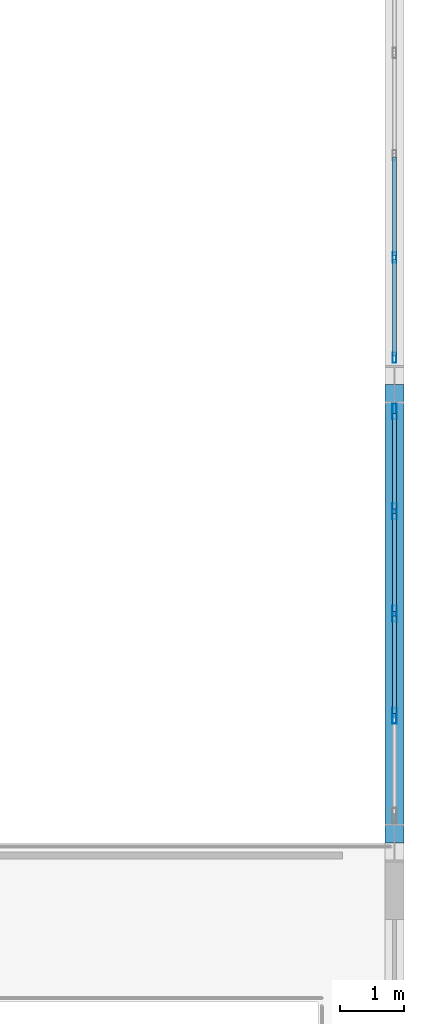
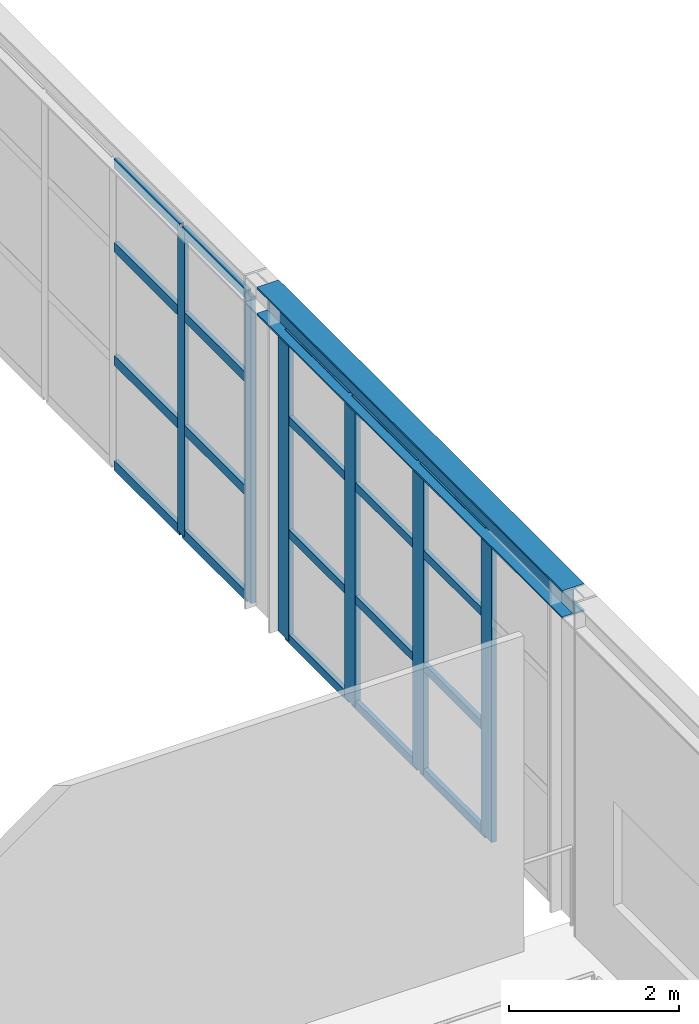
# One storey, part 67 of 126: 26 members, 1 beam, 2 elements without a shape of their own.
"""IFC4 building model written with IfcOpenShell, lengths in metres."""

from ifc_helpers import new_model, si_unit, direction, frame, origin, origin_2d, place, context, subcontext, project, spatial, hollow_rectangle, i_section, extrude, material, layer, layer_set, material_profile, profile_set, type_object, element, aggregate, save


model = new_model("IFC4")

# Units and contexts
model_context = context("Model", 3, precision=1e-05, world=origin(), true_north=direction((0.0, 1.0)))
body_context = subcontext(model_context, "Body", "Model", "MODEL_VIEW")
ifc_project = project(units=[si_unit("LENGTHUNIT", "METRE"), si_unit("AREAUNIT", "SQUARE_METRE"), si_unit("VOLUMEUNIT", "CUBIC_METRE"), si_unit("PLANEANGLEUNIT", "RADIAN"), si_unit("MASSUNIT", "GRAM", prefix="KILO")], contexts=[model_context])

# Site, building, storey
site_placement = place(None, origin())
site = spatial("IfcSite", under=ifc_project, at=site_placement, CompositionType="ELEMENT")
building_placement = place(site_placement, origin())
building = spatial("IfcBuilding", under=site, at=building_placement, Name="Solvadek Multi-Sports Hall", CompositionType="ELEMENT")
storey_placement = place(building_placement, frame((0.0, 0.0, 9.60009765625)))
storey = spatial("IfcBuildingStorey", under=building, at=storey_placement, Name="L02", CompositionType="ELEMENT", Elevation=9.60009765625)

# Curtain wall, members
ifc_material_1 = material(Name="Anodised aluminium", Category="aluminium")
ifc_layer = layer(ifc_material_1, 0.159912109375, Name="Anodised aluminium")
ifc_layer_set = layer_set([ifc_layer], Name="Anodised aluminium")
curtain_wall_type = type_object("IfcCurtainWallType", Name="ENV-CW-642X440", PredefinedType="USERDEFINED", material=ifc_layer_set)
curtain_wall_1_placement = place(storey_placement, origin())
curtain_wall_1 = element("IfcCurtainWall", 1, at=curtain_wall_1_placement, inside=storey, type_object=curtain_wall_type, Name="L02 Perimeter Bay Curtain Wall #150", ObjectType="CURTAIN WALL", PredefinedType="USERDEFINED")
ifc_material_profile_1 = material_profile(ifc_material_1, hollow_rectangle(XDim=0.06005859375, YDim=0.159912109375, WallThickness=0.00390625, at=origin_2d()), Name="ALU-M 160x60x4")
ifc_profile_set_1 = profile_set([ifc_material_profile_1], Name="Anodised aluminium")
member_type_1 = type_object("IfcMemberType", Name="ENV-CWM-01", PredefinedType="MULLION", material=ifc_profile_set_1)
member_1_placement = place(storey_placement, frame((161.39990234375, 56.820068359375, 0.0), z_axis=(0.0, 0.0, 1.0), x_axis=(-1.0, 0.0, 0.0)))
member_1 = element("IfcMember", 2, at=member_1_placement, type_object=member_type_1, Name="CW-54 mullion 1", PredefinedType="MULLION", context=body_context, shape_type="SweptSolid", body=[
    extrude(hollow_rectangle(XDim=0.06005859375, YDim=0.159912109375, WallThickness=0.00390625, at=origin_2d()), origin(), (0.0, 0.0, 1.0), 4.40185546875),
])
member_2_placement = place(storey_placement, frame((161.39990234375, 58.39501953125, 0.0), z_axis=(0.0, 0.0, 1.0), x_axis=(-1.0, 0.0, 0.0)))
member_2 = element("IfcMember", 3, at=member_2_placement, type_object=member_type_1, Name="CW-54 mullion 2", PredefinedType="MULLION", context=body_context, shape_type="SweptSolid", body=[
    extrude(hollow_rectangle(XDim=0.06005859375, YDim=0.159912109375, WallThickness=0.00390625, at=origin_2d()), origin(), (0.0, 0.0, 1.0), 4.40185546875),
])

curtain_wall_2_placement = place(storey_placement, origin())
curtain_wall_2 = element("IfcCurtainWall", 4, at=curtain_wall_2_placement, inside=storey, type_object=curtain_wall_type, Name="L02 Perimeter Bay Curtain Wall #146", ObjectType="CURTAIN WALL", PredefinedType="USERDEFINED")
ifc_material_profile_2 = material_profile(ifc_material_1, hollow_rectangle(XDim=0.070068359375, YDim=0.25, WallThickness=0.0048828125, at=origin_2d()), Name="ALU-M 250x70x5")
ifc_profile_set_2 = profile_set([ifc_material_profile_2], Name="Anodised aluminium")
member_type_2 = type_object("IfcMemberType", Name="ENV-CWM-05", PredefinedType="MULLION", material=ifc_profile_set_2)
member_3_placement = place(storey_placement, frame((161.39990234375, 51.195068359375, 0.0), z_axis=(0.0, 0.0, 1.0), x_axis=(-1.0, 0.0, 0.0)))
member_3 = element("IfcMember", 5, at=member_3_placement, type_object=member_type_2, Name="CW-54 mullion 2", PredefinedType="MULLION", context=body_context, shape_type="SweptSolid", body=[
    extrude(hollow_rectangle(XDim=0.070068359375, YDim=0.25, WallThickness=0.0048828125, at=origin_2d()), origin(), (0.0, 0.0, 1.0), 4.40185546875),
])
member_4_placement = place(storey_placement, frame((161.39990234375, 52.800048828125, 0.0), z_axis=(0.0, 0.0, 1.0), x_axis=(-1.0, 0.0, 0.0)))
member_4 = element("IfcMember", 6, at=member_4_placement, type_object=member_type_2, Name="CW-54 mullion 3", PredefinedType="MULLION", context=body_context, shape_type="SweptSolid", body=[
    extrude(hollow_rectangle(XDim=0.070068359375, YDim=0.25, WallThickness=0.0048828125, at=origin_2d()), origin(), (0.0, 0.0, 1.0), 4.40185546875),
])
member_5_placement = place(storey_placement, frame((161.39990234375, 54.405029296875, 0.0), z_axis=(0.0, 0.0, 1.0), x_axis=(-1.0, 0.0, 0.0)))
member_5 = element("IfcMember", 7, at=member_5_placement, type_object=member_type_2, Name="CW-54 mullion 4", PredefinedType="MULLION", context=body_context, shape_type="SweptSolid", body=[
    extrude(hollow_rectangle(XDim=0.070068359375, YDim=0.25, WallThickness=0.0048828125, at=origin_2d()), origin(), (0.0, 0.0, 1.0), 4.40185546875),
])
member_6_placement = place(storey_placement, frame((161.39990234375, 55.97509765625, 0.0), z_axis=(0.0, 0.0, 1.0), x_axis=(-1.0, 0.0, 0.0)))
member_6 = element("IfcMember", 8, at=member_6_placement, type_object=member_type_2, Name="CW-54 mullion 5", PredefinedType="MULLION", context=body_context, shape_type="SweptSolid", body=[
    extrude(hollow_rectangle(XDim=0.070068359375, YDim=0.25, WallThickness=0.0048828125, at=origin_2d()), origin(), (0.0, 0.0, 1.0), 4.40185546875),
])
ifc_material_profile_3 = material_profile(ifc_material_1, hollow_rectangle(XDim=0.06005859375, YDim=0.1201171875, WallThickness=0.00390625, at=origin_2d()), Name="ALU-T 120x60x4")
ifc_profile_set_3 = profile_set([ifc_material_profile_3], Name="Anodised aluminium")
member_type_3 = type_object("IfcMemberType", Name="ENV-CWT-01", PredefinedType="USERDEFINED", material=ifc_profile_set_3)
member_7_placement = place(storey_placement, frame((161.39990234375, 51.22998046875, 0.02978515625), z_axis=(0.0, 1.0, 0.0), x_axis=(-1.0, 0.0, 0.0)))
member_7 = element("IfcMember", 9, at=member_7_placement, type_object=member_type_3, Name="CW-54 transom 2.1", ObjectType="TRANSOM", PredefinedType="USERDEFINED", context=body_context, shape_type="SweptSolid", body=[
    extrude(hollow_rectangle(XDim=0.06005859375, YDim=0.1201171875, WallThickness=0.00390625, at=origin_2d()), origin(), (0.0, 0.0, 1.0), 1.534912109375),
])
member_8_placement = place(storey_placement, frame((161.39990234375, 51.22998046875, 1.541015625), z_axis=(0.0, 1.0, 0.0), x_axis=(-1.0, 0.0, 0.0)))
member_8 = element("IfcMember", 10, at=member_8_placement, type_object=member_type_3, Name="CW-54 transom 2.2", ObjectType="TRANSOM", PredefinedType="USERDEFINED", context=body_context, shape_type="SweptSolid", body=[
    extrude(hollow_rectangle(XDim=0.06005859375, YDim=0.1201171875, WallThickness=0.00390625, at=origin_2d()), origin(), (0.0, 0.0, 1.0), 1.534912109375),
])
member_9_placement = place(storey_placement, frame((161.39990234375, 51.22998046875, 3.1689453125), z_axis=(0.0, 1.0, 0.0), x_axis=(-1.0, 0.0, 0.0)))
member_9 = element("IfcMember", 11, at=member_9_placement, type_object=member_type_3, Name="CW-54 transom 2.3", ObjectType="TRANSOM", PredefinedType="USERDEFINED", context=body_context, shape_type="SweptSolid", body=[
    extrude(hollow_rectangle(XDim=0.06005859375, YDim=0.1201171875, WallThickness=0.00390625, at=origin_2d()), origin(), (0.0, 0.0, 1.0), 1.534912109375),
])
member_10_placement = place(storey_placement, frame((161.39990234375, 51.22998046875, 4.371826171875), z_axis=(0.0, 1.0, 0.0), x_axis=(-1.0, 0.0, 0.0)))
member_10 = element("IfcMember", 12, at=member_10_placement, type_object=member_type_3, Name="CW-54 transom 2.4", ObjectType="TRANSOM", PredefinedType="USERDEFINED", context=body_context, shape_type="SweptSolid", body=[
    extrude(hollow_rectangle(XDim=0.06005859375, YDim=0.1201171875, WallThickness=0.00390625, at=origin_2d()), origin(), (0.0, 0.0, 1.0), 1.534912109375),
])
member_11_placement = place(storey_placement, frame((161.39990234375, 52.8349609375, 0.02978515625), z_axis=(0.0, 1.0, 0.0), x_axis=(-1.0, 0.0, 0.0)))
member_11 = element("IfcMember", 13, at=member_11_placement, type_object=member_type_3, Name="CW-54 transom 3.1", ObjectType="TRANSOM", PredefinedType="USERDEFINED", context=body_context, shape_type="SweptSolid", body=[
    extrude(hollow_rectangle(XDim=0.06005859375, YDim=0.1201171875, WallThickness=0.00390625, at=origin_2d()), origin(), (0.0, 0.0, 1.0), 1.53515625),
])
member_12_placement = place(storey_placement, frame((161.39990234375, 52.8349609375, 1.541015625), z_axis=(0.0, 1.0, 0.0), x_axis=(-1.0, 0.0, 0.0)))
member_12 = element("IfcMember", 14, at=member_12_placement, type_object=member_type_3, Name="CW-54 transom 3.2", ObjectType="TRANSOM", PredefinedType="USERDEFINED", context=body_context, shape_type="SweptSolid", body=[
    extrude(hollow_rectangle(XDim=0.06005859375, YDim=0.1201171875, WallThickness=0.00390625, at=origin_2d()), origin(), (0.0, 0.0, 1.0), 1.53515625),
])
member_13_placement = place(storey_placement, frame((161.39990234375, 52.8349609375, 3.1689453125), z_axis=(0.0, 1.0, 0.0), x_axis=(-1.0, 0.0, 0.0)))
member_13 = element("IfcMember", 15, at=member_13_placement, type_object=member_type_3, Name="CW-54 transom 3.3", ObjectType="TRANSOM", PredefinedType="USERDEFINED", context=body_context, shape_type="SweptSolid", body=[
    extrude(hollow_rectangle(XDim=0.06005859375, YDim=0.1201171875, WallThickness=0.00390625, at=origin_2d()), origin(), (0.0, 0.0, 1.0), 1.53515625),
])
member_14_placement = place(storey_placement, frame((161.39990234375, 52.8349609375, 4.371826171875), z_axis=(0.0, 1.0, 0.0), x_axis=(-1.0, 0.0, 0.0)))
member_14 = element("IfcMember", 16, at=member_14_placement, type_object=member_type_3, Name="CW-54 transom 3.4", ObjectType="TRANSOM", PredefinedType="USERDEFINED", context=body_context, shape_type="SweptSolid", body=[
    extrude(hollow_rectangle(XDim=0.06005859375, YDim=0.1201171875, WallThickness=0.00390625, at=origin_2d()), origin(), (0.0, 0.0, 1.0), 1.53515625),
])
member_15_placement = place(storey_placement, frame((161.39990234375, 54.43994140625, 0.02978515625), z_axis=(0.0, 1.0, 0.0), x_axis=(-1.0, 0.0, 0.0)))
member_15 = element("IfcMember", 17, at=member_15_placement, type_object=member_type_3, Name="CW-54 transom 4.1", ObjectType="TRANSOM", PredefinedType="USERDEFINED", context=body_context, shape_type="SweptSolid", body=[
    extrude(hollow_rectangle(XDim=0.06005859375, YDim=0.1201171875, WallThickness=0.00390625, at=origin_2d()), origin(), (0.0, 0.0, 1.0), 1.5),
])
member_16_placement = place(storey_placement, frame((161.39990234375, 54.43994140625, 1.541015625), z_axis=(0.0, 1.0, 0.0), x_axis=(-1.0, 0.0, 0.0)))
member_16 = element("IfcMember", 18, at=member_16_placement, type_object=member_type_3, Name="CW-54 transom 4.2", ObjectType="TRANSOM", PredefinedType="USERDEFINED", context=body_context, shape_type="SweptSolid", body=[
    extrude(hollow_rectangle(XDim=0.06005859375, YDim=0.1201171875, WallThickness=0.00390625, at=origin_2d()), origin(), (0.0, 0.0, 1.0), 1.5),
])
member_17_placement = place(storey_placement, frame((161.39990234375, 54.43994140625, 3.1689453125), z_axis=(0.0, 1.0, 0.0), x_axis=(-1.0, 0.0, 0.0)))
member_17 = element("IfcMember", 19, at=member_17_placement, type_object=member_type_3, Name="CW-54 transom 4.3", ObjectType="TRANSOM", PredefinedType="USERDEFINED", context=body_context, shape_type="SweptSolid", body=[
    extrude(hollow_rectangle(XDim=0.06005859375, YDim=0.1201171875, WallThickness=0.00390625, at=origin_2d()), origin(), (0.0, 0.0, 1.0), 1.5),
])
member_18_placement = place(storey_placement, frame((161.39990234375, 54.43994140625, 4.371826171875), z_axis=(0.0, 1.0, 0.0), x_axis=(-1.0, 0.0, 0.0)))
member_18 = element("IfcMember", 20, at=member_18_placement, type_object=member_type_3, Name="CW-54 transom 4.4", ObjectType="TRANSOM", PredefinedType="USERDEFINED", context=body_context, shape_type="SweptSolid", body=[
    extrude(hollow_rectangle(XDim=0.06005859375, YDim=0.1201171875, WallThickness=0.00390625, at=origin_2d()), origin(), (0.0, 0.0, 1.0), 1.5),
])
aggregate(curtain_wall_2, [member_3, member_4, member_5, member_6, member_7, member_8, member_9, member_10, member_11, member_12, member_13, member_14, member_15, member_16, member_17, member_18])

# Member
ifc_material_profile_4 = material_profile(ifc_material_1, hollow_rectangle(XDim=0.06005859375, YDim=0.139892578125, WallThickness=0.00390625, at=origin_2d()), Name="ALU-T 140x60x4")
ifc_profile_set_4 = profile_set([ifc_material_profile_4], Name="Anodised aluminium")
member_type_4 = type_object("IfcMemberType", Name="ENV-CWT-02", PredefinedType="USERDEFINED", material=ifc_profile_set_4)
member_19_placement = place(storey_placement, frame((161.39990234375, 56.85009765625, 0.02978515625), z_axis=(0.0, 1.0, 0.0), x_axis=(-1.0, 0.0, 0.0)))
member_19 = element("IfcMember", 21, at=member_19_placement, type_object=member_type_4, Name="CW-54 transom 1.1", ObjectType="TRANSOM", PredefinedType="USERDEFINED", context=body_context, shape_type="SweptSolid", body=[
    extrude(hollow_rectangle(XDim=0.06005859375, YDim=0.139892578125, WallThickness=0.00390625, at=origin_2d()), origin(), (0.0, 0.0, 1.0), 1.514892578125),
])

member_20_placement = place(storey_placement, frame((161.39990234375, 56.85009765625, 1.541015625), z_axis=(0.0, 1.0, 0.0), x_axis=(-1.0, 0.0, 0.0)))
member_20 = element("IfcMember", 22, at=member_20_placement, type_object=member_type_4, Name="CW-54 transom 1.2", ObjectType="TRANSOM", PredefinedType="USERDEFINED", context=body_context, shape_type="SweptSolid", body=[
    extrude(hollow_rectangle(XDim=0.06005859375, YDim=0.139892578125, WallThickness=0.00390625, at=origin_2d()), origin(), (0.0, 0.0, 1.0), 1.514892578125),
])

member_21_placement = place(storey_placement, frame((161.39990234375, 56.85009765625, 3.1689453125), z_axis=(0.0, 1.0, 0.0), x_axis=(-1.0, 0.0, 0.0)))
member_21 = element("IfcMember", 23, at=member_21_placement, type_object=member_type_4, Name="CW-54 transom 1.3", ObjectType="TRANSOM", PredefinedType="USERDEFINED", context=body_context, shape_type="SweptSolid", body=[
    extrude(hollow_rectangle(XDim=0.06005859375, YDim=0.139892578125, WallThickness=0.00390625, at=origin_2d()), origin(), (0.0, 0.0, 1.0), 1.514892578125),
])

member_22_placement = place(storey_placement, frame((161.39990234375, 56.85009765625, 4.371826171875), z_axis=(0.0, 1.0, 0.0), x_axis=(-1.0, 0.0, 0.0)))
member_22 = element("IfcMember", 24, at=member_22_placement, type_object=member_type_4, Name="CW-54 transom 1.4", ObjectType="TRANSOM", PredefinedType="USERDEFINED", context=body_context, shape_type="SweptSolid", body=[
    extrude(hollow_rectangle(XDim=0.06005859375, YDim=0.139892578125, WallThickness=0.00390625, at=origin_2d()), origin(), (0.0, 0.0, 1.0), 1.514892578125),
])

member_23_placement = place(storey_placement, frame((161.39990234375, 58.425048828125, 0.02978515625), z_axis=(0.0, 1.0, 0.0), x_axis=(-1.0, 0.0, 0.0)))
member_23 = element("IfcMember", 25, at=member_23_placement, type_object=member_type_4, Name="CW-54 transom 2.1", ObjectType="TRANSOM", PredefinedType="USERDEFINED", context=body_context, shape_type="SweptSolid", body=[
    extrude(hollow_rectangle(XDim=0.06005859375, YDim=0.139892578125, WallThickness=0.00390625, at=origin_2d()), origin(), (0.0, 0.0, 1.0), 1.544921875),
])

member_24_placement = place(storey_placement, frame((161.39990234375, 58.425048828125, 1.541015625), z_axis=(0.0, 1.0, 0.0), x_axis=(-1.0, 0.0, 0.0)))
member_24 = element("IfcMember", 26, at=member_24_placement, type_object=member_type_4, Name="CW-54 transom 2.2", ObjectType="TRANSOM", PredefinedType="USERDEFINED", context=body_context, shape_type="SweptSolid", body=[
    extrude(hollow_rectangle(XDim=0.06005859375, YDim=0.139892578125, WallThickness=0.00390625, at=origin_2d()), origin(), (0.0, 0.0, 1.0), 1.544921875),
])

member_25_placement = place(storey_placement, frame((161.39990234375, 58.425048828125, 3.1689453125), z_axis=(0.0, 1.0, 0.0), x_axis=(-1.0, 0.0, 0.0)))
member_25 = element("IfcMember", 27, at=member_25_placement, type_object=member_type_4, Name="CW-54 transom 2.3", ObjectType="TRANSOM", PredefinedType="USERDEFINED", context=body_context, shape_type="SweptSolid", body=[
    extrude(hollow_rectangle(XDim=0.06005859375, YDim=0.139892578125, WallThickness=0.00390625, at=origin_2d()), origin(), (0.0, 0.0, 1.0), 1.544921875),
])

member_26_placement = place(storey_placement, frame((161.39990234375, 58.425048828125, 4.371826171875), z_axis=(0.0, 1.0, 0.0), x_axis=(-1.0, 0.0, 0.0)))
member_26 = element("IfcMember", 28, at=member_26_placement, type_object=member_type_4, Name="CW-54 transom 2.4", ObjectType="TRANSOM", PredefinedType="USERDEFINED", context=body_context, shape_type="SweptSolid", body=[
    extrude(hollow_rectangle(XDim=0.06005859375, YDim=0.139892578125, WallThickness=0.00390625, at=origin_2d()), origin(), (0.0, 0.0, 1.0), 1.544921875),
])

aggregate(curtain_wall_1, [member_1, member_2, member_19, member_20, member_21, member_22, member_23, member_24, member_25, member_26])

# Beam
ifc_material_2 = material(Name="Steel E350 (350 MPa)", Category="steel")
ifc_material_profile_5 = material_profile(ifc_material_2, i_section(OverallWidth=0.300048828125, OverallDepth=0.39990234375, WebThickness=0.013427734375, FlangeThickness=0.02392578125, at=origin_2d()), Name="WPB 400")
ifc_profile_set_5 = profile_set([ifc_material_profile_5], Name="Steel E350 (350 MPa)")
beam_type = type_object("IfcBeamType", Name="STR-SPN-WPB400", PredefinedType="SPANDREL", material=ifc_profile_set_5)
beam_placement = place(storey_placement, frame((161.39990234375, 49.199951171875, 4.599853515625), z_axis=(0.0, 1.0, 0.0), x_axis=(-1.0, 0.0, 0.0)))
element("IfcBeam", 29, at=beam_placement, inside=storey, type_object=beam_type, Name="L02 V2 East Spandrel #86", PredefinedType="SPANDREL", context=body_context, shape_type="SweptSolid", body=[
    extrude(i_section(OverallWidth=0.300048828125, OverallDepth=0.39990234375, WebThickness=0.013427734375, FlangeThickness=0.02392578125, at=origin_2d()), origin(), (0.0, 0.0, 1.0), 7.199951171875),
])

save(model, "model.ifc")
